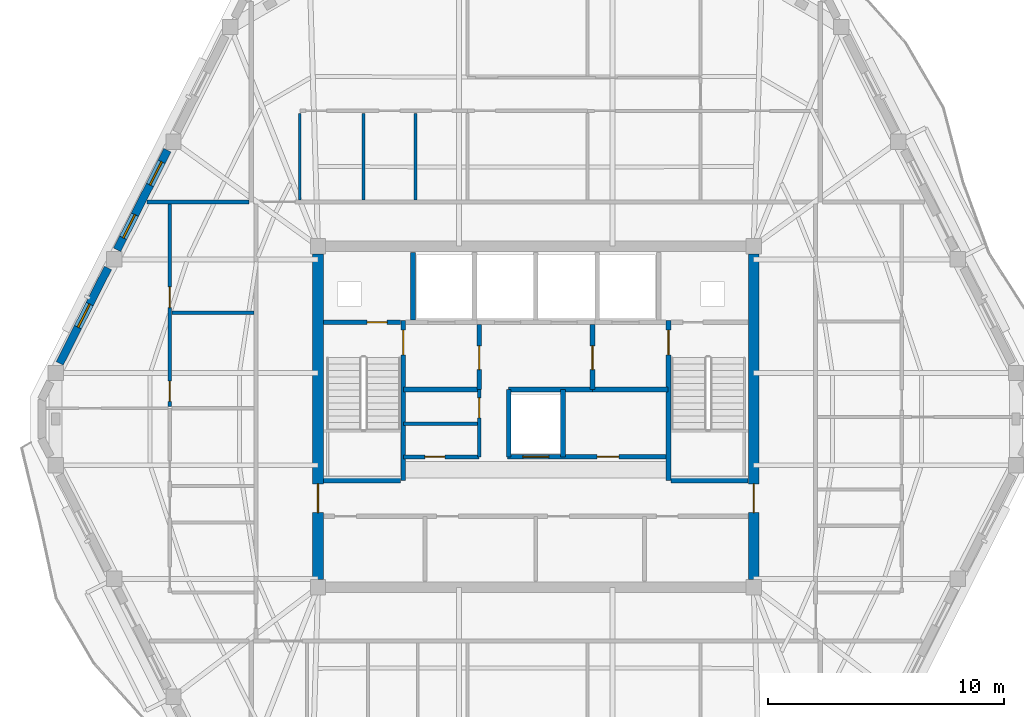
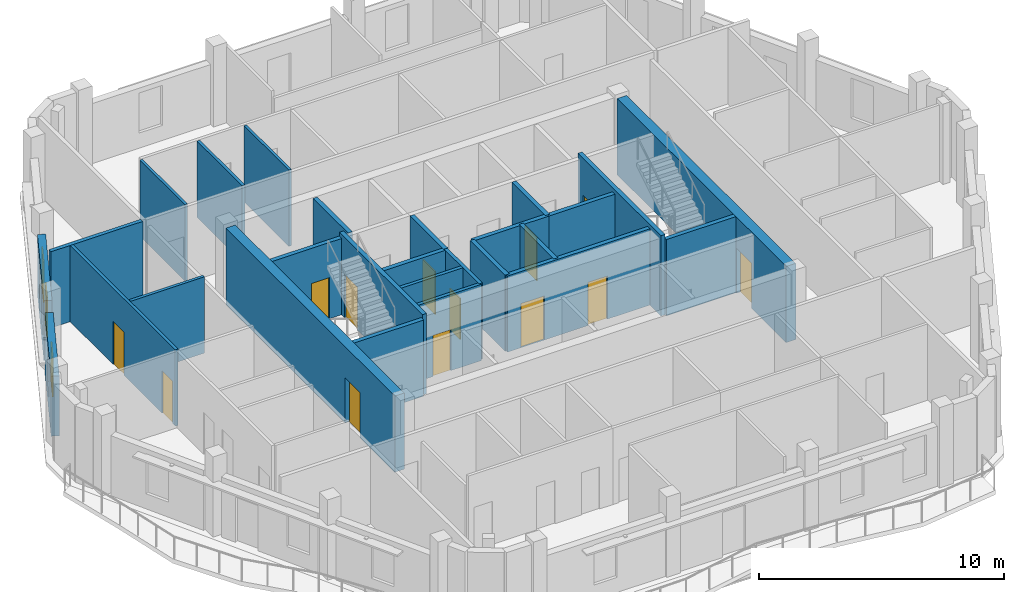
# One storey, part 5 of 11: 27 walls, 13 doors, 3 windows, 16 openings.
"""IFC4 building model written with IfcOpenShell, lengths in metres."""

from ifc_helpers import new_model, si_unit, direction, frame, frame_2d, origin, place, context, subcontext, project, spatial, rectangle, extrude, material, layer, layer_set, type_object, element, fill, save


model = new_model("IFC4")

# Units and contexts
model_context = context("Model", 3, precision=1e-05, world=origin(), true_north=direction((0.0, 1.0)))
body_context = subcontext(model_context, "Body", "Model", "MODEL_VIEW")
ifc_project = project(units=[si_unit("LENGTHUNIT", "METRE"), si_unit("AREAUNIT", "SQUARE_METRE"), si_unit("VOLUMEUNIT", "CUBIC_METRE"), si_unit("PLANEANGLEUNIT", "RADIAN"), si_unit("MASSUNIT", "GRAM", prefix="KILO")], contexts=[model_context])

# Site, building, storey
site_placement = place(None, origin())
site = spatial("IfcSite", under=ifc_project, at=site_placement, CompositionType="ELEMENT")
building_placement = place(site_placement, origin())
building = spatial("IfcBuilding", under=site, at=building_placement, Name="Cinnabar Lancet Tower", CompositionType="ELEMENT")
storey_placement = place(building_placement, frame((0.0, 0.0, 291.5)))
storey = spatial("IfcBuildingStorey", under=building, at=storey_placement, Name="L77", CompositionType="ELEMENT", Elevation=291.5)

# Wall, opening, door
ifc_material_1 = material(Name="Acoustic twin-stud gypsum partition", Category="gypsum")
ifc_layer_1 = layer(ifc_material_1, 0.159912109375)
ifc_layer_set_1 = layer_set([ifc_layer_1], Name="Acoustic twin-stud gypsum partition")
wall_type_1 = type_object("IfcWallType", Name="ARC-WL-CORR-160", PredefinedType="PARTITIONING", material=ifc_layer_set_1)
wall_1_placement = place(storey_placement, frame((26.800048828125, 24.199951171875, 0.0), z_axis=(0.0, 0.0, 1.0), x_axis=(1.0, 0.0, 0.0)))
wall_1 = element("IfcWall", 1, at=wall_1_placement, inside=storey, type_object=wall_type_1, Name="CW-REC5S-L77", PredefinedType="PARTITIONING", context=body_context, shape_type="SweptSolid", body=[
    extrude(rectangle(XDim=3.199951171875, YDim=0.159912109375, at=frame_2d((1.60009765625, 0.0))), origin(), (0.0, 0.0, 1.0), 3.800048828125),
])
opening_1_placement = place(wall_1_placement, frame((0.89990234375, 0.0, 0.0)))
opening_1 = element("IfcOpeningElement", 2, at=opening_1_placement, cuts=wall_1, Name="Opening PD-02", PredefinedType="OPENING", context=body_context, shape_type="SweptSolid", body=[
    extrude(rectangle(XDim=0.85009765625, YDim=2.050048828125, at=frame_2d((0.425048828125, 1.02490234375))), frame((0.0, 0.08984375, 0.0), z_axis=(0.0, -1.0, 0.0), x_axis=(1.0, 0.0, 0.0)), (0.0, 0.0, 1.0), 0.179931640625),
])
ifc_material_2 = material(Name="Fire-rated steel riser access door", Category="steel")
door_type_1 = type_object("IfcDoorType", Name="ARC-DR-RISER", OperationType="NOTDEFINED", PredefinedType="DOOR", material=ifc_material_2)
door_1_placement = place(opening_1_placement, origin())
door_1 = element("IfcDoor", 3, at=door_1_placement, inside=storey, type_object=door_type_1, Name="DR-L77-REC5S", OperationType="SINGLE_SWING_LEFT", OverallHeight=2.050048828125, OverallWidth=0.85009765625, PredefinedType="DOOR", context=body_context, shape_type="SweptSolid", body=[
    extrude(rectangle(XDim=0.85009765625, YDim=2.050048828125, at=frame_2d((0.425048828125, 1.02490234375))), frame((0.0, 0.02490234375, 0.0), z_axis=(0.0, -1.0, 0.0), x_axis=(1.0, 0.0, 0.0)), (0.0, 0.0, 1.0), 0.050048828125),
])
fill(opening_1, door_1)

wall_2_placement = place(storey_placement, frame((30.0, 24.199951171875, 0.0), z_axis=(0.0, 0.0, 1.0), x_axis=(0.0, 1.0, 0.0)))
wall_2 = element("IfcWall", 4, at=wall_2_placement, inside=storey, type_object=wall_type_1, Name="CW-REC5E-L77", PredefinedType="PARTITIONING", context=body_context, shape_type="SweptSolid", body=[
    extrude(rectangle(XDim=2.85009765625, YDim=0.159912109375, at=frame_2d((1.425048828125, 0.0))), origin(), (0.0, 0.0, 1.0), 3.800048828125),
])
opening_2_placement = place(wall_2_placement, frame((1.64990234375, 0.0, 0.0)))
opening_2 = element("IfcOpeningElement", 5, at=opening_2_placement, cuts=wall_2, Name="Opening PD-02", PredefinedType="OPENING", context=body_context, shape_type="SweptSolid", body=[
    extrude(rectangle(XDim=0.85009765625, YDim=2.050048828125, at=frame_2d((0.425048828125, 1.02490234375))), frame((0.0, 0.08984375, 0.0), z_axis=(0.0, -1.0, 0.0), x_axis=(1.0, 0.0, 0.0)), (0.0, 0.0, 1.0), 0.179931640625),
])
door_2_placement = place(opening_2_placement, origin())
door_2 = element("IfcDoor", 6, at=door_2_placement, inside=storey, type_object=door_type_1, Name="DR-L77-REC5N", OperationType="SINGLE_SWING_RIGHT", OverallHeight=2.050048828125, OverallWidth=0.85009765625, PredefinedType="DOOR", context=body_context, shape_type="SweptSolid", body=[
    extrude(rectangle(XDim=0.85009765625, YDim=2.050048828125, at=frame_2d((0.425048828125, 1.02490234375))), frame((0.0, 0.02490234375, 0.0), z_axis=(0.0, -1.0, 0.0), x_axis=(1.0, 0.0, 0.0)), (0.0, 0.0, 1.0), 0.050048828125),
])
fill(opening_2, door_2)

# Walls
wall_3_placement = place(storey_placement, frame((26.800048828125, 25.60009765625, 0.0), z_axis=(0.0, 0.0, 1.0), x_axis=(1.0, 0.0, 0.0)))
element("IfcWall", 7, at=wall_3_placement, inside=storey, type_object=wall_type_1, Name="CW-REC5HZ-L77", PredefinedType="PARTITIONING", context=body_context, shape_type="SweptSolid", body=[
    extrude(rectangle(XDim=3.199951171875, YDim=0.159912109375, at=frame_2d((1.60009765625, 0.0))), origin(), (0.0, 0.0, 1.0), 3.800048828125),
])
ifc_material_3 = material(Name="Fire-rated twin-frame acoustic drywall", Category="gypsum")
ifc_layer_2 = layer(ifc_material_3, 0.179931640625)
ifc_layer_set_2 = layer_set([ifc_layer_2], Name="Fire-rated twin-frame acoustic drywall")
wall_type_2 = type_object("IfcWallType", Name="ARC-WL-PARTY-180", PredefinedType="PARTITIONING", material=ifc_layer_set_2)
wall_4_placement = place(storey_placement, frame((15.93310546875, 35.0, 0.0), z_axis=(0.0, 0.0, 1.0), x_axis=(1.0, 0.0, 0.0)))
element("IfcWall", 8, at=wall_4_placement, inside=storey, type_object=wall_type_2, Name="PW-L77-WNB", PredefinedType="PARTITIONING", context=body_context, shape_type="SweptSolid", body=[
    extrude(rectangle(XDim=4.32177734375, YDim=0.179931640625, at=frame_2d((2.160888671875, 0.0))), origin(), (0.0, 0.0, 1.0), 3.800048828125),
])
ifc_material_4 = material(Name="Autoclaved aerated concrete blockwork", Category="masonry")
ifc_layer_3 = layer(ifc_material_4, 0.199951171875)
ifc_layer_set_3 = layer_set([ifc_layer_3], Name="Autoclaved aerated concrete blockwork")
wall_type_3 = type_object("IfcWallType", Name="ARC-WL-SHAFT-200", PredefinedType="PLUMBINGWALL", material=ifc_layer_set_3)
for number, where, z_axis, x_axis, name in (
    (9, (23.405029296875, 23.199951171875, 0.0), (0.0, 0.0, 1.0), (1.0, 0.0, 0.0), "CW-ST1S-L77"),
    (10, (38.125, 23.199951171875, 0.0), (0.0, 0.0, 1.0), (1.0, 0.0, 0.0), "CW-ST2S-L77"),
):
    element("IfcWall", number, at=place(storey_placement, frame(where, z_axis=z_axis, x_axis=x_axis)), inside=storey, type_object=wall_type_3, Name=name, PredefinedType="PLUMBINGWALL", context=body_context, shape_type="SweptSolid", body=[
        extrude(rectangle(XDim=3.27001953125, YDim=0.199951171875, at=frame_2d((1.635009765625, 0.0))), origin(), (0.0, 0.0, 1.0), 3.800048828125),
    ])

# Wall, opening, door
wall_5_placement = place(storey_placement, frame((23.405029296875, 29.89990234375, 0.0), z_axis=(0.0, 0.0, 1.0), x_axis=(1.0, 0.0, 0.0)))
wall_5 = element("IfcWall", 11, at=wall_5_placement, inside=storey, type_object=wall_type_3, Name="CW-NSH-W-L77", PredefinedType="PLUMBINGWALL", context=body_context, shape_type="SweptSolid", body=[
    extrude(rectangle(XDim=3.27001953125, YDim=0.199951171875, at=frame_2d((1.635009765625, 0.0))), origin(), (0.0, 0.0, 1.0), 3.800048828125),
])
opening_3_placement = place(wall_5_placement, frame((1.85009765625, 0.0, 0.0)))
opening_3 = element("IfcOpeningElement", 12, at=opening_3_placement, cuts=wall_5, Name="Opening PD-02", PredefinedType="OPENING", context=body_context, shape_type="SweptSolid", body=[
    extrude(rectangle(XDim=0.85009765625, YDim=2.050048828125, at=frame_2d((0.425048828125, 1.02490234375))), frame((0.0, 0.10986328125, 0.0), z_axis=(0.0, -1.0, 0.0), x_axis=(1.0, 0.0, 0.0)), (0.0, 0.0, 1.0), 0.219970703125),
])
door_3_placement = place(opening_3_placement, origin())
door_3 = element("IfcDoor", 13, at=door_3_placement, inside=storey, type_object=door_type_1, Name="L77 West Riser Access Door", OperationType="SINGLE_SWING_LEFT", OverallHeight=2.050048828125, OverallWidth=0.85009765625, PredefinedType="DOOR", context=body_context, shape_type="SweptSolid", body=[
    extrude(rectangle(XDim=0.85009765625, YDim=2.050048828125, at=frame_2d((0.425048828125, 1.02490234375))), frame((0.0, 0.02490234375, 0.0), z_axis=(0.0, -1.0, 0.0), x_axis=(1.0, 0.0, 0.0)), (0.0, 0.0, 1.0), 0.050048828125),
])
fill(opening_3, door_3)

# Wall
wall_6_placement = place(storey_placement, frame((27.199951171875, 30.0, 0.0), z_axis=(0.0, 0.0, 1.0), x_axis=(0.0, 1.0, 0.0)))
element("IfcWall", 14, at=wall_6_placement, inside=storey, type_object=wall_type_3, Name="CW-NSH-D1-L77", PredefinedType="PLUMBINGWALL", context=body_context, shape_type="SweptSolid", body=[
    extrude(rectangle(XDim=2.85009765625, YDim=0.199951171875, at=frame_2d((1.425048828125, 0.0))), origin(), (0.0, 0.0, 1.0), 3.800048828125),
])

# Wall, opening, door
wall_7_placement = place(storey_placement, frame((30.0, 27.050048828125, 0.0), z_axis=(0.0, 0.0, 1.0), x_axis=(0.0, 1.0, 0.0)))
wall_7 = element("IfcWall", 15, at=wall_7_placement, inside=storey, type_object=wall_type_3, Name="CW-FF1E-L77", PredefinedType="PLUMBINGWALL", context=body_context, shape_type="SweptSolid", body=[
    extrude(rectangle(XDim=2.75, YDim=0.199951171875, at=frame_2d((1.375, 0.0))), origin(), (0.0, 0.0, 1.0), 3.800048828125),
])
opening_4_placement = place(wall_7_placement, frame((0.85009765625, 0.0, 0.0)))
opening_4 = element("IfcOpeningElement", 16, at=opening_4_placement, cuts=wall_7, Name="Opening FD-01", PredefinedType="OPENING", context=body_context, shape_type="SweptSolid", body=[
    extrude(rectangle(XDim=1.0, YDim=2.14990234375, at=frame_2d((0.5, 1.074951171875))), frame((0.0, 0.10986328125, 0.0), z_axis=(0.0, -1.0, 0.0), x_axis=(1.0, 0.0, 0.0)), (0.0, 0.0, 1.0), 0.219970703125),
])
ifc_material_5 = material(Name="Fire-rated timber-core lobby door", Category="wood")
door_type_2 = type_object("IfcDoorType", Name="ARC-DR-FFAL", OperationType="NOTDEFINED", PredefinedType="DOOR", material=ifc_material_5)
door_4_placement = place(opening_4_placement, origin())
door_4 = element("IfcDoor", 17, at=door_4_placement, inside=storey, type_object=door_type_2, Name="L77 FFAL-1 Lobby Fire Door", OperationType="SINGLE_SWING_RIGHT", OverallHeight=2.14990234375, OverallWidth=1.0, PredefinedType="DOOR", context=body_context, shape_type="SweptSolid", body=[
    extrude(rectangle(XDim=1.0, YDim=2.14990234375, at=frame_2d((0.5, 1.074951171875))), frame((0.0, 0.02490234375, 0.0), z_axis=(0.0, -1.0, 0.0), x_axis=(1.0, 0.0, 0.0)), (0.0, 0.0, 1.0), 0.050048828125),
])
fill(opening_4, door_4)

# Wall
wall_8_placement = place(storey_placement, frame((26.800048828125, 27.050048828125, 0.0), z_axis=(0.0, 0.0, 1.0), x_axis=(1.0, 0.0, 0.0)))
element("IfcWall", 18, at=wall_8_placement, inside=storey, type_object=wall_type_3, Name="CW-FF1S-L77", PredefinedType="PLUMBINGWALL", context=body_context, shape_type="SweptSolid", body=[
    extrude(rectangle(XDim=3.199951171875, YDim=0.199951171875, at=frame_2d((1.60009765625, 0.0))), origin(), (0.0, 0.0, 1.0), 3.800048828125),
])

# Wall, opening, door
wall_9_placement = place(storey_placement, frame((34.800048828125, 27.050048828125, 0.0), z_axis=(0.0, 0.0, 1.0), x_axis=(0.0, 1.0, 0.0)))
wall_9 = element("IfcWall", 19, at=wall_9_placement, inside=storey, type_object=wall_type_3, Name="CW-FF2W-L77", PredefinedType="PLUMBINGWALL", context=body_context, shape_type="SweptSolid", body=[
    extrude(rectangle(XDim=2.75, YDim=0.199951171875, at=frame_2d((1.375, 0.0))), origin(), (0.0, 0.0, 1.0), 3.800048828125),
])
opening_5_placement = place(wall_9_placement, frame((0.85009765625, 0.0, 0.0)))
opening_5 = element("IfcOpeningElement", 20, at=opening_5_placement, cuts=wall_9, Name="Opening FD-01", PredefinedType="OPENING", context=body_context, shape_type="SweptSolid", body=[
    extrude(rectangle(XDim=1.0, YDim=2.14990234375, at=frame_2d((0.5, 1.074951171875))), frame((0.0, 0.10986328125, 0.0), z_axis=(0.0, -1.0, 0.0), x_axis=(1.0, 0.0, 0.0)), (0.0, 0.0, 1.0), 0.219970703125),
])
door_5_placement = place(opening_5_placement, origin())
door_5 = element("IfcDoor", 21, at=door_5_placement, inside=storey, type_object=door_type_2, Name="L77 FFAL-2 Lobby Fire Door", OperationType="SINGLE_SWING_LEFT", OverallHeight=2.14990234375, OverallWidth=1.0, PredefinedType="DOOR", context=body_context, shape_type="SweptSolid", body=[
    extrude(rectangle(XDim=1.0, YDim=2.14990234375, at=frame_2d((0.5, 1.074951171875))), frame((0.0, 0.02490234375, 0.0), z_axis=(0.0, -1.0, 0.0), x_axis=(1.0, 0.0, 0.0)), (0.0, 0.0, 1.0), 0.050048828125),
])
fill(opening_5, door_5)

# Wall
wall_10_placement = place(storey_placement, frame((34.800048828125, 27.050048828125, 0.0), z_axis=(0.0, 0.0, 1.0), x_axis=(1.0, 0.0, 0.0)))
element("IfcWall", 22, at=wall_10_placement, inside=storey, type_object=wall_type_3, Name="CW-FF2S-L77", PredefinedType="PLUMBINGWALL", context=body_context, shape_type="SweptSolid", body=[
    extrude(rectangle(XDim=3.199951171875, YDim=0.199951171875, at=frame_2d((1.60009765625, 0.0))), origin(), (0.0, 0.0, 1.0), 3.800048828125),
])

# Wall, openings, doors
wall_11_placement = place(storey_placement, frame((31.199951171875, 24.199951171875, 0.0), z_axis=(0.0, 0.0, 1.0), x_axis=(1.0, 0.0, 0.0)))
wall_11 = element("IfcWall", 23, at=wall_11_placement, inside=storey, type_object=wall_type_3, Name="CW-PL96S-L77", PredefinedType="PLUMBINGWALL", context=body_context, shape_type="SweptSolid", body=[
    extrude(rectangle(XDim=6.800048828125, YDim=0.199951171875, at=frame_2d((3.39990234375, 0.0))), origin(), (0.0, 0.0, 1.0), 3.800048828125),
])
opening_6_placement = place(wall_11_placement, frame((0.64990234375, 0.0, 0.0)))
opening_6 = element("IfcOpeningElement", 24, at=opening_6_placement, cuts=wall_11, Name="Opening LD-01", PredefinedType="OPENING", context=body_context, shape_type="SweptSolid", body=[
    extrude(rectangle(XDim=1.10009765625, YDim=2.199951171875, at=frame_2d((0.550048828125, 1.10009765625))), frame((0.0, 0.10986328125, 0.0), z_axis=(0.0, -1.0, 0.0), x_axis=(1.0, 0.0, 0.0)), (0.0, 0.0, 1.0), 0.219970703125),
])
opening_7_placement = place(wall_11_placement, frame((3.800048828125, 0.0, 0.0)))
opening_7 = element("IfcOpeningElement", 25, at=opening_7_placement, cuts=wall_11, Name="Opening RD-01", PredefinedType="OPENING", context=body_context, shape_type="SweptSolid", body=[
    extrude(rectangle(XDim=0.919921875, YDim=2.14990234375, at=frame_2d((0.4599609375, 1.074951171875))), frame((0.0, 0.10986328125, 0.0), z_axis=(0.0, -1.0, 0.0), x_axis=(1.0, 0.0, 0.0)), (0.0, 0.0, 1.0), 0.219970703125),
])
ifc_material_6 = material(Name="Brushed stainless steel sliding lift door", Category="steel")
door_type_3 = type_object("IfcDoorType", Name="ARC-DR-LD-PASS", OperationType="NOTDEFINED", PredefinedType="DOOR", material=ifc_material_6)
door_6_placement = place(opening_6_placement, origin())
door_6 = element("IfcDoor", 26, at=door_6_placement, inside=storey, type_object=door_type_3, Name="L77 Lift PL-9 Landing Door", OperationType="DOUBLE_DOOR_SLIDING", OverallHeight=2.199951171875, OverallWidth=1.10009765625, PredefinedType="DOOR", context=body_context, shape_type="SweptSolid", body=[
    extrude(rectangle(XDim=1.10009765625, YDim=2.199951171875, at=frame_2d((0.550048828125, 1.10009765625))), frame((0.0, 0.02490234375, 0.0), z_axis=(0.0, -1.0, 0.0), x_axis=(1.0, 0.0, 0.0)), (0.0, 0.0, 1.0), 0.050048828125),
])
fill(opening_6, door_6)
ifc_material_7 = material(Name="Engineered timber bedroom door", Category="wood")
door_type_4 = type_object("IfcDoorType", Name="ARC-DR-ROOM", OperationType="NOTDEFINED", PredefinedType="DOOR", material=ifc_material_7)
door_7_placement = place(opening_7_placement, origin())
door_7 = element("IfcDoor", 27, at=door_7_placement, inside=storey, type_object=door_type_4, Name="DR-L77-REC6", OperationType="SINGLE_SWING_RIGHT", OverallHeight=2.14990234375, OverallWidth=0.919921875, PredefinedType="DOOR", context=body_context, shape_type="SweptSolid", body=[
    extrude(rectangle(XDim=0.919921875, YDim=2.14990234375, at=frame_2d((0.4599609375, 1.074951171875))), frame((0.0, 0.02490234375, 0.0), z_axis=(0.0, -1.0, 0.0), x_axis=(1.0, 0.0, 0.0)), (0.0, 0.0, 1.0), 0.050048828125),
])
fill(opening_7, door_7)

# Walls
for number, where, z_axis, x_axis, name in (
    (28, (31.25, 24.199951171875, 0.0), (0.0, 0.0, 1.0), (0.0, 1.0, 0.0), "CW-PL9W-L77"),
    (29, (33.550048828125, 24.199951171875, 0.0), (0.0, 0.0, 1.0), (0.0, 1.0, 0.0), "CW-PL9E-L77"),
):
    element("IfcWall", number, at=place(storey_placement, frame(where, z_axis=z_axis, x_axis=x_axis)), inside=storey, type_object=wall_type_3, Name=name, PredefinedType="PLUMBINGWALL", context=body_context, shape_type="SweptSolid", body=[
        extrude(rectangle(XDim=2.85009765625, YDim=0.199951171875, at=frame_2d((1.425048828125, 0.0))), origin(), (0.0, 0.0, 1.0), 3.800048828125),
    ])
wall_12_placement = place(storey_placement, frame((31.25, 27.050048828125, 0.0), z_axis=(0.0, 0.0, 1.0), x_axis=(1.0, 0.0, 0.0)))
element("IfcWall", 30, at=wall_12_placement, inside=storey, type_object=wall_type_3, Name="CW-PL96N-L77", PredefinedType="PLUMBINGWALL", context=body_context, shape_type="SweptSolid", body=[
    extrude(rectangle(XDim=3.550048828125, YDim=0.199951171875, at=frame_2d((1.77490234375, 0.0))), origin(), (0.0, 0.0, 1.0), 3.800048828125),
])
ifc_material_8 = material(Name="Gypsum plasterboard stud partition", Category="gypsum")
ifc_layer_4 = layer(ifc_material_8, 0.125)
ifc_layer_set_4 = layer_set([ifc_layer_4], Name="Gypsum plasterboard stud partition")
wall_type_4 = type_object("IfcWallType", Name="ARC-WL-UNIT-125", PredefinedType="PARTITIONING", material=ifc_layer_set_4)
for number, where, z_axis, x_axis, name in (
    (31, (22.39990234375, 35.0849609375, 0.0), (0.0, 0.0, 1.0), (0.0, 1.0, 0.0), "UW-L77-N01-FOYE"),
    (32, (27.304931640625, 35.0849609375, 0.0), (0.0, 0.0, 1.0), (0.0, 1.0, 0.0), "UW-L77-N01-STD"),
):
    element("IfcWall", number, at=place(storey_placement, frame(where, z_axis=z_axis, x_axis=x_axis)), inside=storey, type_object=wall_type_4, Name=name, PredefinedType="PARTITIONING", context=body_context, shape_type="SweptSolid", body=[
        extrude(rectangle(XDim=3.66796875, YDim=0.125, at=frame_2d((1.833984375, 0.0))), origin(), (0.0, 0.0, 1.0), 3.800048828125),
    ])
ifc_material_9 = material(Name="Moisture-resistant cement-board plumbing wall", Category="masonry")
ifc_layer_5 = layer(ifc_material_9, 0.139892578125)
ifc_layer_set_5 = layer_set([ifc_layer_5], Name="Moisture-resistant cement-board plumbing wall")
wall_type_5 = type_object("IfcWallType", Name="ARC-WL-WET-140", PredefinedType="PLUMBINGWALL", material=ifc_layer_set_5)
wall_13_placement = place(storey_placement, frame((25.10107421875, 35.0849609375, 0.0), z_axis=(0.0, 0.0, 1.0), x_axis=(0.0, 1.0, 0.0)))
element("IfcWall", 33, at=wall_13_placement, inside=storey, type_object=wall_type_5, Name="UW-L77-N01-KDV", PredefinedType="PLUMBINGWALL", context=body_context, shape_type="SweptSolid", body=[
    extrude(rectangle(XDim=3.66796875, YDim=0.139892578125, at=frame_2d((1.833984375, 0.0))), origin(), (0.0, 0.0, 1.0), 3.800048828125),
])

# Wall, openings, doors
wall_14_placement = place(storey_placement, frame((16.89990234375, 26.327880859375, 0.0), z_axis=(0.0, 0.0, 1.0), x_axis=(0.0, 1.0, 0.0)))
wall_14 = element("IfcWall", 34, at=wall_14_placement, inside=storey, type_object=wall_type_5, Name="UW-L77-W01-SPM", PredefinedType="PLUMBINGWALL", context=body_context, shape_type="SweptSolid", body=[
    extrude(rectangle(XDim=8.5771484375, YDim=0.139892578125, at=frame_2d((4.28857421875, 0.0))), origin(), (0.0, 0.0, 1.0), 3.800048828125),
])
opening_8_placement = place(wall_14_placement, frame((0.219970703125, 0.0, 0.0)))
opening_8 = element("IfcOpeningElement", 35, at=opening_8_placement, cuts=wall_14, Name="Opening BD-01", PredefinedType="OPENING", context=body_context, shape_type="SweptSolid", body=[
    extrude(rectangle(XDim=0.860107421875, YDim=2.10009765625, at=frame_2d((0.43017578125, 1.050048828125))), frame((0.0, 0.079833984375, 0.0), z_axis=(0.0, -1.0, 0.0), x_axis=(1.0, 0.0, 0.0)), (0.0, 0.0, 1.0), 0.159912109375),
])
opening_9_placement = place(wall_14_placement, frame((4.197021484375, 0.0, 0.0)))
opening_9 = element("IfcOpeningElement", 36, at=opening_9_placement, cuts=wall_14, Name="Opening RD-02", PredefinedType="OPENING", context=body_context, shape_type="SweptSolid", body=[
    extrude(rectangle(XDim=0.8798828125, YDim=2.14990234375, at=frame_2d((0.43994140625, 1.074951171875))), frame((0.0, 0.079833984375, 0.0), z_axis=(0.0, -1.0, 0.0), x_axis=(1.0, 0.0, 0.0)), (0.0, 0.0, 1.0), 0.159912109375),
])
ifc_material_10 = material(Name="Moisture-resistant timber bathroom door", Category="wood")
door_type_5 = type_object("IfcDoorType", Name="ARC-DR-BATH", OperationType="NOTDEFINED", PredefinedType="DOOR", material=ifc_material_10)
door_8_placement = place(opening_8_placement, origin())
door_8 = element("IfcDoor", 37, at=door_8_placement, inside=storey, type_object=door_type_5, Name="DR-L77-W01-ENS", OperationType="SINGLE_SWING_LEFT", OverallHeight=2.10009765625, OverallWidth=0.860107421875, PredefinedType="DOOR", context=body_context, shape_type="SweptSolid", body=[
    extrude(rectangle(XDim=0.860107421875, YDim=2.10009765625, at=frame_2d((0.43017578125, 1.050048828125))), frame((0.0, 0.02490234375, 0.0), z_axis=(0.0, -1.0, 0.0), x_axis=(1.0, 0.0, 0.0)), (0.0, 0.0, 1.0), 0.050048828125),
])
fill(opening_8, door_8)
ifc_material_11 = material(Name="Engineered timber study door", Category="wood")
door_type_6 = type_object("IfcDoorType", Name="ARC-DR-STUDY", OperationType="NOTDEFINED", PredefinedType="DOOR", material=ifc_material_11)
door_9_placement = place(opening_9_placement, origin())
door_9 = element("IfcDoor", 38, at=door_9_placement, inside=storey, type_object=door_type_6, Name="DR-L77-W01-EWDR", OperationType="SINGLE_SWING_RIGHT", OverallHeight=2.14990234375, OverallWidth=0.8798828125, PredefinedType="DOOR", context=body_context, shape_type="SweptSolid", body=[
    extrude(rectangle(XDim=0.8798828125, YDim=2.14990234375, at=frame_2d((0.43994140625, 1.074951171875))), frame((0.0, 0.02490234375, 0.0), z_axis=(0.0, -1.0, 0.0), x_axis=(1.0, 0.0, 0.0)), (0.0, 0.0, 1.0), 0.050048828125),
])
fill(opening_9, door_9)

# Wall
wall_15_placement = place(storey_placement, frame((16.985107421875, 30.304931640625, 0.0), z_axis=(0.0, 0.0, 1.0), x_axis=(1.0, 0.0, 0.0)))
element("IfcWall", 39, at=wall_15_placement, inside=storey, type_object=wall_type_5, Name="UW-L77-W01-EWDV", PredefinedType="PLUMBINGWALL", context=body_context, shape_type="SweptSolid", body=[
    extrude(rectangle(XDim=3.47998046875, YDim=0.139892578125, at=frame_2d((1.739990234375, 0.0))), origin(), (0.0, 0.0, 1.0), 3.800048828125),
])

# Wall, openings, windows
ifc_material_12 = material(Name="Cinnabar red clay brick", Category="masonry")
ifc_layer_6 = layer(ifc_material_12, 0.340087890625)
ifc_layer_set_6 = layer_set([ifc_layer_6], Name="Cinnabar red clay brick")
wall_type_6 = type_object("IfcWallType", Name="ENV-WL-BRK-RED-340", PredefinedType="STANDARD", material=ifc_layer_set_6)
wall_16_placement = place(storey_placement, frame((16.798095703125, 37.18701171875, 0.0), z_axis=(0.0, 0.0, 1.0), x_axis=(-0.451447516904, -0.892297674255, 0.0)))
wall_16 = element("IfcWall", 40, at=wall_16_placement, inside=storey, type_object=wall_type_6, Name="L77 Face 5 Masonry Bay Wall 3", PredefinedType="STANDARD", context=body_context, shape_type="SweptSolid", body=[
    extrude(rectangle(XDim=4.72265625, YDim=0.340087890625, at=frame_2d((2.361328125, 0.0))), origin(), (0.0, 0.0, 1.0), 2.989990234375),
])
opening_10_placement = place(wall_16_placement, frame((0.5458984375, 0.0, 0.75)))
opening_10 = element("IfcOpeningElement", 41, at=opening_10_placement, cuts=wall_16, Name="Opening WN-04", PredefinedType="OPENING", context=body_context, shape_type="SweptSolid", body=[
    extrude(rectangle(XDim=1.10009765625, YDim=2.0, at=frame_2d((0.550048828125, 1.0))), frame((0.0, 0.179931640625, 0.0), z_axis=(0.0, -1.0, 0.0), x_axis=(1.0, 0.0, 0.0)), (0.0, 0.0, 1.0), 0.360107421875),
])
opening_11_placement = place(wall_16_placement, frame((3.05810546875, 0.0, 0.75)))
opening_11 = element("IfcOpeningElement", 42, at=opening_11_placement, cuts=wall_16, Name="Opening WN-04", PredefinedType="OPENING", context=body_context, shape_type="SweptSolid", body=[
    extrude(rectangle(XDim=1.10009765625, YDim=2.0, at=frame_2d((0.550048828125, 1.0))), frame((0.0, 0.179931640625, 0.0), z_axis=(0.0, -1.0, 0.0), x_axis=(1.0, 0.0, 0.0)), (0.0, 0.0, 1.0), 0.360107421875),
])
ifc_material_13 = material(Name="Thermally broken bronze-anodized aluminium tall lancet window", Category="aluminium")
window_type = type_object("IfcWindowType", Name="ENV-WN-LANCET-1100", PartitioningType="SINGLE_PANEL", PredefinedType="WINDOW", material=ifc_material_13)
window_1_placement = place(opening_10_placement, origin())
window_1 = element("IfcWindow", 43, at=window_1_placement, inside=storey, type_object=window_type, Name="L77 Face 5 Gothic Lancet Window 3", OverallHeight=2.0, OverallWidth=1.10009765625, PartitioningType="SINGLE_PANEL", PredefinedType="WINDOW", context=body_context, shape_type="SweptSolid", body=[
    extrude(rectangle(XDim=1.10009765625, YDim=2.0, at=frame_2d((0.550048828125, 1.0))), frame((0.0, 0.030029296875, 0.0), z_axis=(0.0, -1.0, 0.0), x_axis=(1.0, 0.0, 0.0)), (0.0, 0.0, 1.0), 0.06005859375),
])
fill(opening_10, window_1)
window_2_placement = place(opening_11_placement, origin())
window_2 = element("IfcWindow", 44, at=window_2_placement, inside=storey, type_object=window_type, Name="L77 Split-Bay Gothic Lancet Window 292", OverallHeight=2.0, OverallWidth=1.10009765625, PartitioningType="SINGLE_PANEL", PredefinedType="WINDOW", context=body_context, shape_type="SweptSolid", body=[
    extrude(rectangle(XDim=1.10009765625, YDim=2.0, at=frame_2d((0.550048828125, 1.0))), frame((0.0, 0.030029296875, 0.0), z_axis=(0.0, -1.0, 0.0), x_axis=(1.0, 0.0, 0.0)), (0.0, 0.0, 1.0), 0.06005859375),
])
fill(opening_11, window_2)

# Wall, opening, window
wall_17_placement = place(storey_placement, frame((14.277099609375, 32.202880859375, 0.0), z_axis=(0.0, 0.0, 1.0), x_axis=(-0.45147697324, -0.892282770558, 0.0)))
wall_17 = element("IfcWall", 45, at=wall_17_placement, inside=storey, type_object=wall_type_6, Name="L77 Face 5 Masonry Bay Wall 4", PredefinedType="STANDARD", context=body_context, shape_type="SweptSolid", body=[
    extrude(rectangle(XDim=4.530029296875, YDim=0.340087890625, at=frame_2d((2.26513671875, 0.0))), origin(), (0.0, 0.0, 1.0), 2.989990234375),
])
opening_12_placement = place(wall_17_placement, frame((1.715087890625, 0.0, 0.75)))
opening_12 = element("IfcOpeningElement", 46, at=opening_12_placement, cuts=wall_17, Name="Opening WN-04", PredefinedType="OPENING", context=body_context, shape_type="SweptSolid", body=[
    extrude(rectangle(XDim=1.10009765625, YDim=2.0, at=frame_2d((0.550048828125, 1.0))), frame((0.0, 0.179931640625, 0.0), z_axis=(0.0, -1.0, 0.0), x_axis=(1.0, 0.0, 0.0)), (0.0, 0.0, 1.0), 0.360107421875),
])
window_3_placement = place(opening_12_placement, origin())
window_3 = element("IfcWindow", 47, at=window_3_placement, inside=storey, type_object=window_type, Name="L77 Face 5 Gothic Lancet Window 4", OverallHeight=2.0, OverallWidth=1.10009765625, PartitioningType="SINGLE_PANEL", PredefinedType="WINDOW", context=body_context, shape_type="SweptSolid", body=[
    extrude(rectangle(XDim=1.10009765625, YDim=2.0, at=frame_2d((0.550048828125, 1.0))), frame((0.0, 0.030029296875, 0.0), z_axis=(0.0, -1.0, 0.0), x_axis=(1.0, 0.0, 0.0)), (0.0, 0.0, 1.0), 0.06005859375),
])
fill(opening_12, window_3)

# Wall, opening, door
ifc_material_14 = material(Name="Concrete C50/60", Category="concrete")
ifc_layer_7 = layer(ifc_material_14, 0.449951171875)
ifc_layer_set_7 = layer_set([ifc_layer_7], Name="Concrete C50/60")
wall_type_7 = type_object("IfcWallType", Name="STR-WL-CORE-450", PredefinedType="SHEAR", material=ifc_layer_set_7)
wall_18_placement = place(storey_placement, frame((23.175048828125, 19.0, 0.0), z_axis=(0.0, 0.0, 1.0), x_axis=(0.0, 1.0, 0.0)))
wall_18 = element("IfcWall", 48, at=wall_18_placement, inside=storey, type_object=wall_type_7, Name="L77 Core Shear Wall W", PredefinedType="SHEAR", context=body_context, shape_type="SweptSolid", body=[
    extrude(rectangle(XDim=13.800048828125, YDim=0.449951171875, at=frame_2d((6.89990234375, 0.0))), origin(), (0.0, 0.0, 1.0), 3.800048828125),
])
opening_13_placement = place(wall_18_placement, frame((2.840087890625, 0.0, 0.0)))
opening_13 = element("IfcOpeningElement", 49, at=opening_13_placement, cuts=wall_18, Name="Opening FD-02", PredefinedType="OPENING", context=body_context, shape_type="SweptSolid", body=[
    extrude(rectangle(XDim=1.219970703125, YDim=2.25, at=frame_2d((0.60986328125, 1.125))), frame((0.0, 0.23486328125, 0.0), z_axis=(0.0, -1.0, 0.0), x_axis=(1.0, 0.0, 0.0)), (0.0, 0.0, 1.0), 0.469970703125),
])
ifc_material_15 = material(Name="Fire-rated double-vision core portal door", Category="wood")
door_type_7 = type_object("IfcDoorType", Name="ARC-DR-CPORT", OperationType="NOTDEFINED", PredefinedType="DOOR", material=ifc_material_15)
door_10_placement = place(opening_13_placement, origin())
door_10 = element("IfcDoor", 50, at=door_10_placement, inside=storey, type_object=door_type_7, Name="L77 West Core Lobby Fire Door", OperationType="SINGLE_SWING_RIGHT", OverallHeight=2.25, OverallWidth=1.219970703125, PredefinedType="DOOR", context=body_context, shape_type="SweptSolid", body=[
    extrude(rectangle(XDim=1.219970703125, YDim=2.25, at=frame_2d((0.60986328125, 1.125))), frame((0.0, 0.02490234375, 0.0), z_axis=(0.0, -1.0, 0.0), x_axis=(1.0, 0.0, 0.0)), (0.0, 0.0, 1.0), 0.050048828125),
])
fill(opening_13, door_10)

wall_19_placement = place(storey_placement, frame((41.625, 19.0, 0.0), z_axis=(0.0, 0.0, 1.0), x_axis=(0.0, 1.0, 0.0)))
wall_19 = element("IfcWall", 51, at=wall_19_placement, inside=storey, type_object=wall_type_7, Name="L77 Core Shear Wall E", PredefinedType="SHEAR", context=body_context, shape_type="SweptSolid", body=[
    extrude(rectangle(XDim=13.800048828125, YDim=0.449951171875, at=frame_2d((6.89990234375, 0.0))), origin(), (0.0, 0.0, 1.0), 3.800048828125),
])
opening_14_placement = place(wall_19_placement, frame((2.840087890625, 0.0, 0.0)))
opening_14 = element("IfcOpeningElement", 52, at=opening_14_placement, cuts=wall_19, Name="Opening FD-02", PredefinedType="OPENING", context=body_context, shape_type="SweptSolid", body=[
    extrude(rectangle(XDim=1.219970703125, YDim=2.25, at=frame_2d((0.60986328125, 1.125))), frame((0.0, 0.23486328125, 0.0), z_axis=(0.0, -1.0, 0.0), x_axis=(1.0, 0.0, 0.0)), (0.0, 0.0, 1.0), 0.469970703125),
])
door_11_placement = place(opening_14_placement, origin())
door_11 = element("IfcDoor", 53, at=door_11_placement, inside=storey, type_object=door_type_7, Name="L77 East Core Lobby Fire Door", OperationType="SINGLE_SWING_LEFT", OverallHeight=2.25, OverallWidth=1.219970703125, PredefinedType="DOOR", context=body_context, shape_type="SweptSolid", body=[
    extrude(rectangle(XDim=1.219970703125, YDim=2.25, at=frame_2d((0.60986328125, 1.125))), frame((0.0, 0.02490234375, 0.0), z_axis=(0.0, -1.0, 0.0), x_axis=(1.0, 0.0, 0.0)), (0.0, 0.0, 1.0), 0.050048828125),
])
fill(opening_14, door_11)

ifc_material_16 = material(Name="Concrete C50/60", Category="concrete")
ifc_layer_8 = layer(ifc_material_16, 0.199951171875)
ifc_layer_set_8 = layer_set([ifc_layer_8], Name="Concrete C50/60")
wall_type_8 = type_object("IfcWallType", Name="STR-WL-STAIR-200", PredefinedType="SHEAR", material=ifc_layer_set_8)
wall_20_placement = place(storey_placement, frame((26.780029296875, 23.199951171875, 0.0), z_axis=(0.0, 0.0, 1.0), x_axis=(0.0, 1.0, 0.0)))
wall_20 = element("IfcWall", 54, at=wall_20_placement, inside=storey, type_object=wall_type_8, Name="L77 Stair ST-1 Structural Enclosure Wall", PredefinedType="SHEAR", context=body_context, shape_type="SweptSolid", body=[
    extrude(rectangle(XDim=6.780029296875, YDim=0.199951171875, at=frame_2d((3.39013671875, 0.0))), origin(), (0.0, 0.0, 1.0), 4.0),
])
opening_15_placement = place(wall_20_placement, frame((5.320068359375, 0.0, 0.0)))
opening_15 = element("IfcOpeningElement", 55, at=opening_15_placement, cuts=wall_20, Name="Opening SD-01", PredefinedType="OPENING", context=body_context, shape_type="SweptSolid", body=[
    extrude(rectangle(XDim=1.050048828125, YDim=2.14990234375, at=frame_2d((0.52490234375, 1.074951171875))), frame((0.0, 0.10986328125, 0.0), z_axis=(0.0, -1.0, 0.0), x_axis=(1.0, 0.0, 0.0)), (0.0, 0.0, 1.0), 0.219970703125),
])
ifc_material_17 = material(Name="Fire-rated steel stair exit door", Category="steel")
door_type_8 = type_object("IfcDoorType", Name="ARC-DR-STAIR", OperationType="NOTDEFINED", PredefinedType="DOOR", material=ifc_material_17)
door_12_placement = place(opening_15_placement, origin())
door_12 = element("IfcDoor", 56, at=door_12_placement, inside=storey, type_object=door_type_8, Name="L77 Stair ST-1 Fire Door", OperationType="SINGLE_SWING_LEFT", OverallHeight=2.14990234375, OverallWidth=1.050048828125, PredefinedType="DOOR", context=body_context, shape_type="SweptSolid", body=[
    extrude(rectangle(XDim=1.050048828125, YDim=2.14990234375, at=frame_2d((0.52490234375, 1.074951171875))), frame((0.0, 0.02490234375, 0.0), z_axis=(0.0, -1.0, 0.0), x_axis=(1.0, 0.0, 0.0)), (0.0, 0.0, 1.0), 0.050048828125),
])
fill(opening_15, door_12)

wall_21_placement = place(storey_placement, frame((38.02001953125, 23.199951171875, 0.0), z_axis=(0.0, 0.0, 1.0), x_axis=(0.0, 1.0, 0.0)))
wall_21 = element("IfcWall", 57, at=wall_21_placement, inside=storey, type_object=wall_type_8, Name="L77 Stair ST-2 Structural Enclosure Wall", PredefinedType="SHEAR", context=body_context, shape_type="SweptSolid", body=[
    extrude(rectangle(XDim=6.780029296875, YDim=0.199951171875, at=frame_2d((3.39013671875, 0.0))), origin(), (0.0, 0.0, 1.0), 4.0),
])
opening_16_placement = place(wall_21_placement, frame((5.320068359375, 0.0, 0.0)))
opening_16 = element("IfcOpeningElement", 58, at=opening_16_placement, cuts=wall_21, Name="Opening SD-01", PredefinedType="OPENING", context=body_context, shape_type="SweptSolid", body=[
    extrude(rectangle(XDim=1.050048828125, YDim=2.14990234375, at=frame_2d((0.52490234375, 1.074951171875))), frame((0.0, 0.10986328125, 0.0), z_axis=(0.0, -1.0, 0.0), x_axis=(1.0, 0.0, 0.0)), (0.0, 0.0, 1.0), 0.219970703125),
])
door_13_placement = place(opening_16_placement, origin())
door_13 = element("IfcDoor", 59, at=door_13_placement, inside=storey, type_object=door_type_8, Name="L77 Stair ST-2 Fire Door", OperationType="SINGLE_SWING_RIGHT", OverallHeight=2.14990234375, OverallWidth=1.050048828125, PredefinedType="DOOR", context=body_context, shape_type="SweptSolid", body=[
    extrude(rectangle(XDim=1.050048828125, YDim=2.14990234375, at=frame_2d((0.52490234375, 1.074951171875))), frame((0.0, 0.02490234375, 0.0), z_axis=(0.0, -1.0, 0.0), x_axis=(1.0, 0.0, 0.0)), (0.0, 0.0, 1.0), 0.050048828125),
])
fill(opening_16, door_13)

save(model, "model.ifc")
